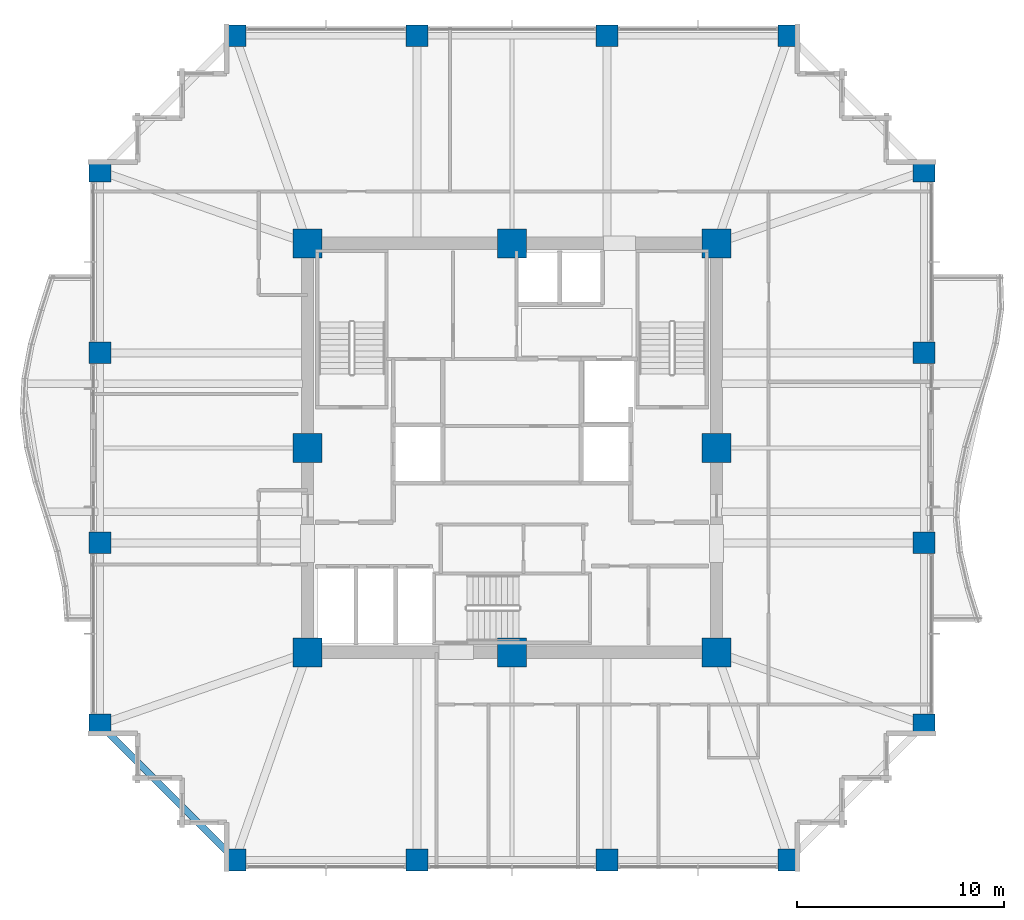
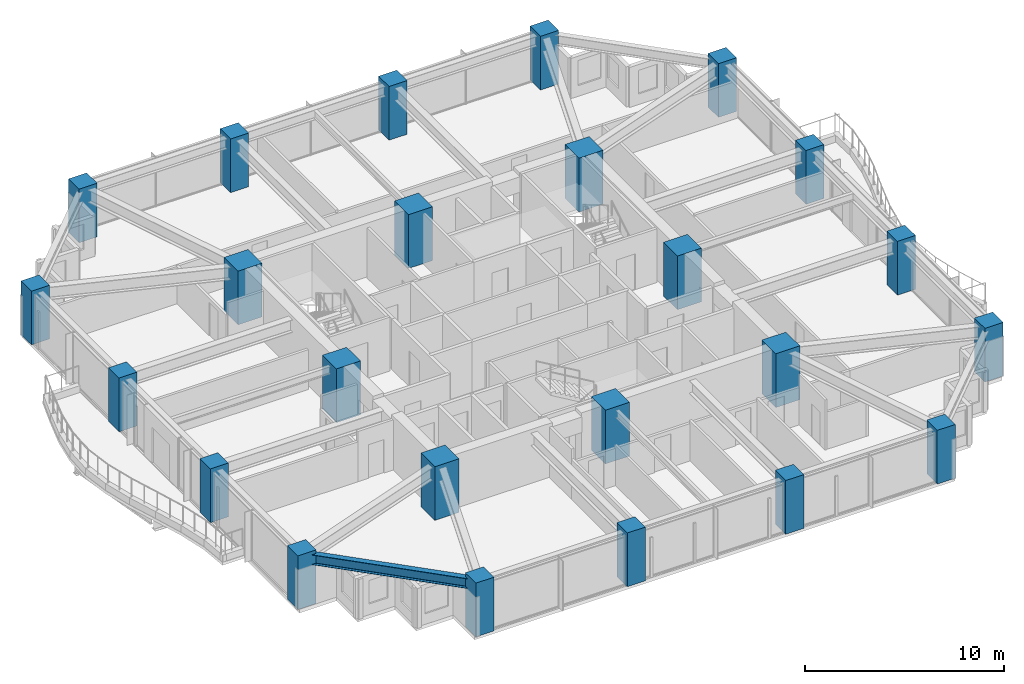
# One storey, part 1 of 36: 24 columns, 1 beam.
"""IFC4 building model written with IfcOpenShell, lengths in metres."""

from ifc_helpers import new_model, si_unit, direction, frame, origin, origin_2d, place, context, subcontext, project, spatial, rectangle, i_section, extrude, material, material_profile, profile_set, type_object, element, save


model = new_model("IFC4")

# Units and contexts
model_context = context("Model", 3, precision=1e-05, world=origin(), true_north=direction((0.0, 1.0)))
body_context = subcontext(model_context, "Body", "Model", "MODEL_VIEW")
ifc_project = project(units=[si_unit("LENGTHUNIT", "METRE"), si_unit("AREAUNIT", "SQUARE_METRE"), si_unit("VOLUMEUNIT", "CUBIC_METRE"), si_unit("PLANEANGLEUNIT", "RADIAN"), si_unit("MASSUNIT", "GRAM", prefix="KILO")], contexts=[model_context])

# Site, building, storey
site_placement = place(None, origin())
site = spatial("IfcSite", under=ifc_project, at=site_placement, CompositionType="ELEMENT")
building_placement = place(site_placement, origin())
building = spatial("IfcBuilding", under=site, at=building_placement, Name="Kolvaren Belvedere", CompositionType="ELEMENT")
storey_placement = place(building_placement, frame((0.0, 0.0, 88.699951171875)))
storey = spatial("IfcBuildingStorey", under=building, at=storey_placement, Name="L25", CompositionType="ELEMENT", Elevation=88.699951171875)

# Columns
ifc_material_1 = material(Name="Concrete C50/60", Category="concrete")
ifc_material_profile_1 = material_profile(ifc_material_1, rectangle(XDim=1.050048828125, YDim=1.050048828125, at=origin_2d()), Name="RC 1050X1050")
ifc_profile_set_1 = profile_set([ifc_material_profile_1], Name="Concrete C50/60")
column_type_1 = type_object("IfcColumnType", Name="COL-RC-1050", PredefinedType="COLUMN", material=ifc_profile_set_1)
for number, where, z_axis, x_axis, name in (
    (1, (-13.39990234375, -19.949951171875, 0.0), (0.0, 0.0, 1.0), (1.0, 0.0, 0.0), "L25 Perimeter Column S1"),
    (2, (-4.60009765625, -19.949951171875, 0.0), (0.0, 0.0, 1.0), (1.0, 0.0, 0.0), "L25 Perimeter Column S2"),
    (3, (4.60009765625, -19.949951171875, 0.0), (0.0, 0.0, 1.0), (1.0, 0.0, 0.0), "L25 Perimeter Column S3"),
    (4, (13.39990234375, -19.949951171875, 0.0), (0.0, 0.0, 1.0), (1.0, 0.0, 0.0), "L25 Perimeter Column S4"),
    (5, (-13.39990234375, 19.949951171875, 0.0), (0.0, 0.0, 1.0), (1.0, 0.0, 0.0), "L25 Perimeter Column N1"),
    (6, (-4.60009765625, 19.949951171875, 0.0), (0.0, 0.0, 1.0), (1.0, 0.0, 0.0), "L25 Perimeter Column N2"),
    (7, (4.60009765625, 19.949951171875, 0.0), (0.0, 0.0, 1.0), (1.0, 0.0, 0.0), "L25 Perimeter Column N3"),
    (8, (13.39990234375, 19.949951171875, 0.0), (0.0, 0.0, 1.0), (1.0, 0.0, 0.0), "L25 Perimeter Column N4"),
    (9, (-19.949951171875, -13.39990234375, 0.0), (0.0, 0.0, 1.0), (1.0, 0.0, 0.0), "L25 Perimeter Column W1"),
    (10, (-19.949951171875, -4.60009765625, 0.0), (0.0, 0.0, 1.0), (1.0, 0.0, 0.0), "L25 Perimeter Column W2"),
    (11, (-19.949951171875, 4.60009765625, 0.0), (0.0, 0.0, 1.0), (1.0, 0.0, 0.0), "L25 Perimeter Column W3"),
    (12, (-19.949951171875, 13.39990234375, 0.0), (0.0, 0.0, 1.0), (1.0, 0.0, 0.0), "L25 Perimeter Column W4"),
    (13, (19.949951171875, -13.39990234375, 0.0), (0.0, 0.0, 1.0), (1.0, 0.0, 0.0), "L25 Perimeter Column E1"),
    (14, (19.949951171875, -4.60009765625, 0.0), (0.0, 0.0, 1.0), (1.0, 0.0, 0.0), "L25 Perimeter Column E2"),
    (15, (19.949951171875, 4.60009765625, 0.0), (0.0, 0.0, 1.0), (1.0, 0.0, 0.0), "L25 Perimeter Column E3"),
    (16, (19.949951171875, 13.39990234375, 0.0), (0.0, 0.0, 1.0), (1.0, 0.0, 0.0), "L25 Perimeter Column E4"),
):
    element("IfcColumn", number, at=place(storey_placement, frame(where, z_axis=z_axis, x_axis=x_axis)), inside=storey, type_object=column_type_1, Name=name, PredefinedType="COLUMN", context=body_context, shape_type="SweptSolid", body=[
        extrude(rectangle(XDim=1.050048828125, YDim=1.050048828125, at=origin_2d()), origin(), (0.0, 0.0, 1.0), 3.300048828125),
    ])
ifc_material_2 = material(Name="Concrete C60/75", Category="concrete")
ifc_material_profile_2 = material_profile(ifc_material_2, rectangle(XDim=1.39990234375, YDim=1.39990234375, at=origin_2d()), Name="RC 1400X1400")
ifc_profile_set_2 = profile_set([ifc_material_profile_2], Name="Concrete C60/75")
column_type_2 = type_object("IfcColumnType", Name="COL-RC-1400", PredefinedType="COLUMN", material=ifc_profile_set_2)
for number, where, z_axis, x_axis, name in (
    (17, (-9.89990234375, -9.89990234375, 0.0), (0.0, 0.0, 1.0), (1.0, 0.0, 0.0), "L25 Core Column CC1"),
    (18, (9.89990234375, -9.89990234375, 0.0), (0.0, 0.0, 1.0), (1.0, 0.0, 0.0), "L25 Core Column CC2"),
    (19, (9.89990234375, 9.89990234375, 0.0), (0.0, 0.0, 1.0), (1.0, 0.0, 0.0), "L25 Core Column CC3"),
    (20, (-9.89990234375, 9.89990234375, 0.0), (0.0, 0.0, 1.0), (1.0, 0.0, 0.0), "L25 Core Column CC4"),
    (21, (0.0, -9.89990234375, 0.0), (0.0, 0.0, 1.0), (1.0, 0.0, 0.0), "L25 Core Column CM1"),
    (22, (9.89990234375, 0.0, 0.0), (0.0, 0.0, 1.0), (1.0, 0.0, 0.0), "L25 Core Column CM2"),
    (23, (0.0, 9.89990234375, 0.0), (0.0, 0.0, 1.0), (1.0, 0.0, 0.0), "L25 Core Column CM3"),
    (24, (-9.89990234375, 0.0, 0.0), (0.0, 0.0, 1.0), (1.0, 0.0, 0.0), "L25 Core Column CM4"),
):
    element("IfcColumn", number, at=place(storey_placement, frame(where, z_axis=z_axis, x_axis=x_axis)), inside=storey, type_object=column_type_2, Name=name, PredefinedType="COLUMN", context=body_context, shape_type="SweptSolid", body=[
        extrude(rectangle(XDim=1.39990234375, YDim=1.39990234375, at=origin_2d()), origin(), (0.0, 0.0, 1.0), 3.300048828125),
    ])

# Beam
ifc_material_3 = material(Name="Structural steel ASTM A992 Grade 50", Category="steel")
ifc_material_profile_3 = material_profile(ifc_material_3, i_section(OverallWidth=0.324951171875, OverallDepth=0.615966796875, WebThickness=0.013916015625, FlangeThickness=0.021484375, FilletRadius=0.02001953125, at=origin_2d()), Name="W24X117")
ifc_profile_set_3 = profile_set([ifc_material_profile_3], Name="Structural steel ASTM A992 Grade 50")
beam_type = type_object("IfcBeamType", Name="BM-SPAN-W24X117", PredefinedType="SPANDREL", material=ifc_profile_set_3)
beam_placement = place(storey_placement, frame((-19.782958984375, -13.567138671875, 2.77197265625), z_axis=(0.707106781187, -0.707106781187, 0.0), x_axis=(0.707106781187, 0.707106781187, 0.0)))
element("IfcBeam", 25, at=beam_placement, inside=storey, type_object=beam_type, Name="L25 Perimeter Spandrel W1-S1", PredefinedType="SPANDREL", context=body_context, shape_type="SweptSolid", body=[
    extrude(i_section(OverallWidth=0.324951171875, OverallDepth=0.615966796875, WebThickness=0.013916015625, FlangeThickness=0.021484375, FilletRadius=0.02001953125, at=origin_2d()), origin(), (0.0, 0.0, 1.0), 8.79052734375),
])

save(model, "model.ifc")
